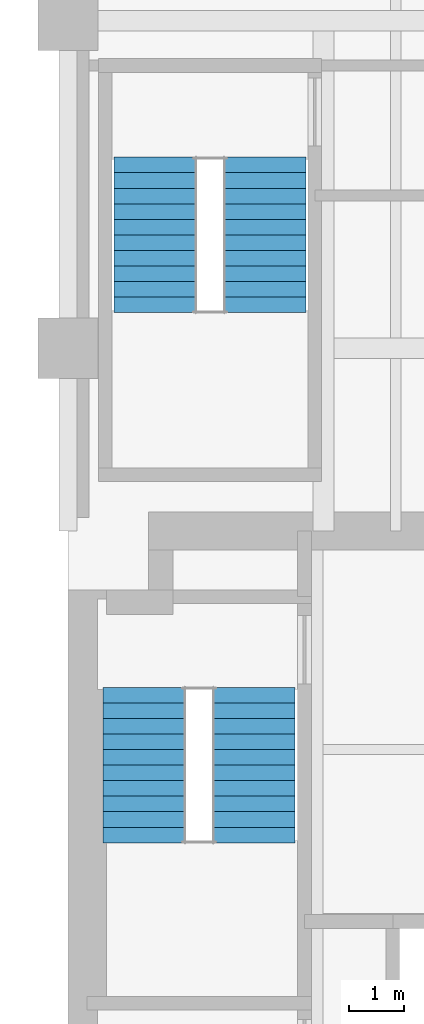
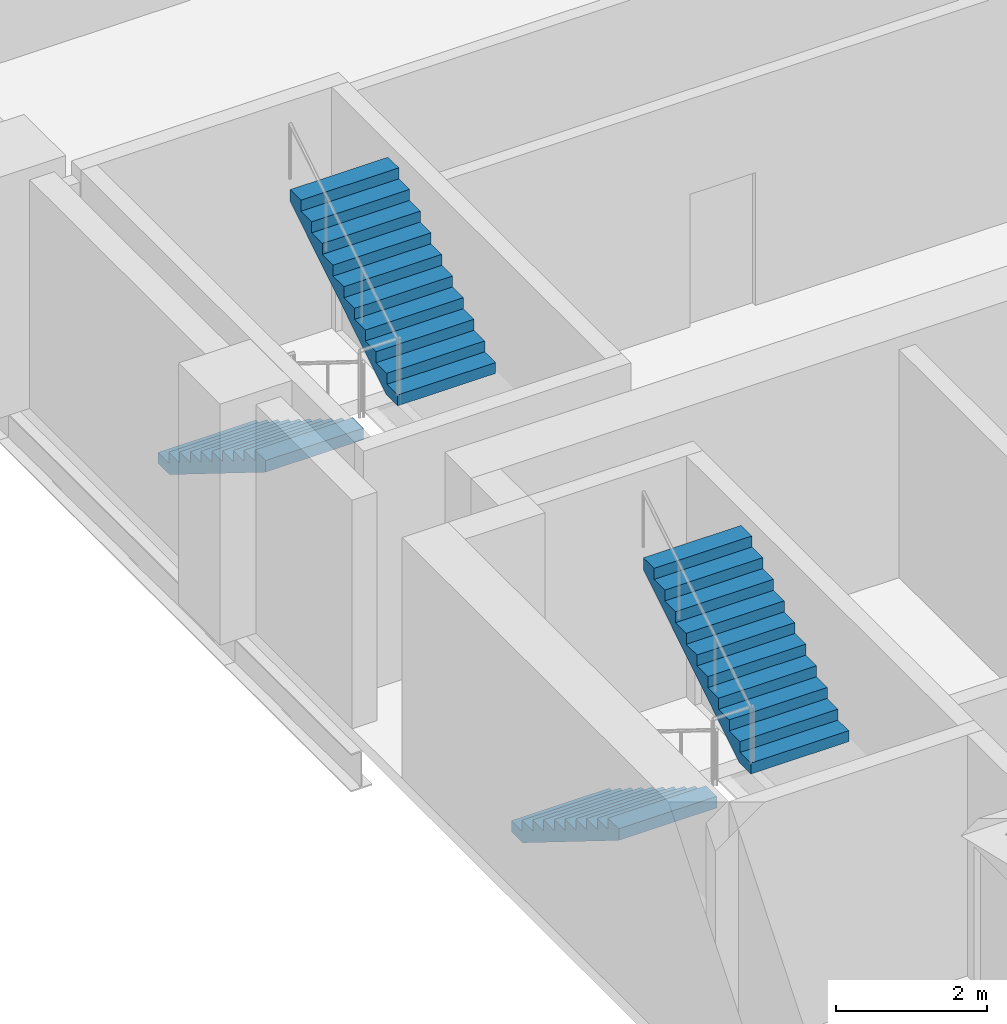
# One storey, part 10 of 12: 4 stair flights, 2 elements without a shape of their own.
"""IFC4 building model written with IfcOpenShell, lengths in metres."""

from ifc_helpers import new_model, si_unit, direction, frame, origin, place, context, subcontext, project, spatial, polyline, outline, extrude, material, type_object, element, aggregate, save


model = new_model("IFC4")

# Units and contexts
model_context = context("Model", 3, precision=1e-05, world=origin(), true_north=direction((0.0, 1.0)))
body_context = subcontext(model_context, "Body", "Model", "MODEL_VIEW")
ifc_project = project(units=[si_unit("LENGTHUNIT", "METRE"), si_unit("AREAUNIT", "SQUARE_METRE"), si_unit("VOLUMEUNIT", "CUBIC_METRE"), si_unit("PLANEANGLEUNIT", "RADIAN"), si_unit("MASSUNIT", "GRAM", prefix="KILO")], contexts=[model_context])

# Site, building, storey
site_placement = place(None, origin())
site = spatial("IfcSite", under=ifc_project, at=site_placement, CompositionType="ELEMENT")
building_placement = place(site_placement, origin())
building = spatial("IfcBuilding", under=site, at=building_placement, Name="Mawjdan Bourse Tower", CompositionType="ELEMENT")
storey_placement = place(building_placement, frame((0.0, 0.0, 120.60009765625)))
storey = spatial("IfcBuildingStorey", under=building, at=storey_placement, Name="L28", CompositionType="ELEMENT", Elevation=120.60009765625)

# Stair, stair flights
ifc_material = material(Name="Concrete C50/60", Category="concrete")
stair_type = type_object("IfcStairType", Name="STR-CORE-1500", PredefinedType="HALF_TURN_STAIR", material=ifc_material)
stair_1_placement = place(storey_placement, origin())
stair_1 = element("IfcStair", 1, at=stair_1_placement, inside=storey, type_object=stair_type, Name="L28 Exit Stair 2 (Core North-West)", PredefinedType="HALF_TURN_STAIR")
stair_flight_type = type_object("IfcStairFlightType", Name="SFL-RC-1500", PredefinedType="STRAIGHT", material=ifc_material)
stair_flight_1_placement = place(storey_placement, frame((7.389892578125, 17.7900390625, 0.0), z_axis=(0.0, 0.0, 1.0), x_axis=(0.0, -1.0, 0.0)))
stair_flight_1 = element("IfcStairFlight", 2, at=stair_flight_1_placement, type_object=stair_flight_type, Name="ST2-L28 flight 1", NumberOfRisers=11, NumberOfTreads=10, PredefinedType="STRAIGHT", RiserHeight=0.177273, TreadLength=0.285, context=body_context, shape_type="SweptSolid", body=[
    extrude(outline(polyline([(0.0, 0.0), (0.0, 0.17724609375), (0.284912109375, 0.17724609375), (0.284912109375, 0.3544921875), (0.570068359375, 0.3544921875), (0.570068359375, 0.53173828125), (0.85498046875, 0.53173828125), (0.85498046875, 0.708984375), (1.139892578125, 0.708984375), (1.139892578125, 0.886474609375), (1.425048828125, 0.886474609375), (1.425048828125, 1.063720703125), (1.7099609375, 1.063720703125), (1.7099609375, 1.240966796875), (1.9951171875, 1.240966796875), (1.9951171875, 1.418212890625), (2.280029296875, 1.418212890625), (2.280029296875, 1.595458984375), (2.56494140625, 1.595458984375), (2.56494140625, 1.772705078125), (2.85009765625, 1.772705078125), (2.85009765625, 1.949951171875), (2.85009765625, 1.58447265625), (0.302734375, 0.0), (0.0, 0.0)])), frame((0.0, 0.75, 0.0), z_axis=(0.0, -1.0, 0.0), x_axis=(1.0, 0.0, 0.0)), (0.0, 0.0, 1.0), 1.5),
])
stair_flight_2_placement = place(storey_placement, frame((9.409912109375, 14.93994140625, 1.949951171875), z_axis=(0.0, 0.0, 1.0), x_axis=(0.0, 1.0, 0.0)))
stair_flight_2 = element("IfcStairFlight", 3, at=stair_flight_2_placement, type_object=stair_flight_type, Name="ST2-L28 flight 2", NumberOfRisers=11, NumberOfTreads=10, PredefinedType="STRAIGHT", RiserHeight=0.177273, TreadLength=0.285, context=body_context, shape_type="SweptSolid", body=[
    extrude(outline(polyline([(0.0, 0.0), (0.0, 0.17724609375), (0.284912109375, 0.17724609375), (0.284912109375, 0.3544921875), (0.570068359375, 0.3544921875), (0.570068359375, 0.53173828125), (0.85498046875, 0.53173828125), (0.85498046875, 0.708984375), (1.139892578125, 0.708984375), (1.139892578125, 0.886474609375), (1.425048828125, 0.886474609375), (1.425048828125, 1.063720703125), (1.7099609375, 1.063720703125), (1.7099609375, 1.240966796875), (1.9951171875, 1.240966796875), (1.9951171875, 1.418212890625), (2.280029296875, 1.418212890625), (2.280029296875, 1.595458984375), (2.56494140625, 1.595458984375), (2.56494140625, 1.772705078125), (2.85009765625, 1.772705078125), (2.85009765625, 1.949951171875), (2.85009765625, 1.58447265625), (0.302734375, 0.0), (0.0, 0.0)])), frame((0.0, 0.75, 0.0), z_axis=(0.0, -1.0, 0.0), x_axis=(1.0, 0.0, 0.0)), (0.0, 0.0, 1.0), 1.5),
])
aggregate(stair_1, [stair_flight_1, stair_flight_2])

stair_2_placement = place(storey_placement, origin())
stair_2 = element("IfcStair", 4, at=stair_2_placement, inside=storey, type_object=stair_type, Name="L28 Exit Stair 3 (North Wing)", PredefinedType="HALF_TURN_STAIR")
stair_flight_3_placement = place(storey_placement, frame((7.590087890625, 27.5, 0.0), z_axis=(0.0, 0.0, 1.0), x_axis=(0.0, -1.0, 0.0)))
stair_flight_3 = element("IfcStairFlight", 5, at=stair_flight_3_placement, type_object=stair_flight_type, Name="ST3-L28 flight 1", NumberOfRisers=11, NumberOfTreads=10, PredefinedType="STRAIGHT", RiserHeight=0.177273, TreadLength=0.285, context=body_context, shape_type="SweptSolid", body=[
    extrude(outline(polyline([(0.0, 0.0), (0.0, 0.17724609375), (0.284912109375, 0.17724609375), (0.284912109375, 0.3544921875), (0.570068359375, 0.3544921875), (0.570068359375, 0.53173828125), (0.85498046875, 0.53173828125), (0.85498046875, 0.708984375), (1.139892578125, 0.708984375), (1.139892578125, 0.886474609375), (1.425048828125, 0.886474609375), (1.425048828125, 1.063720703125), (1.7099609375, 1.063720703125), (1.7099609375, 1.240966796875), (1.9951171875, 1.240966796875), (1.9951171875, 1.418212890625), (2.280029296875, 1.418212890625), (2.280029296875, 1.595458984375), (2.56494140625, 1.595458984375), (2.56494140625, 1.772705078125), (2.85009765625, 1.772705078125), (2.85009765625, 1.949951171875), (2.85009765625, 1.58447265625), (0.302734375, 0.0), (0.0, 0.0)])), frame((0.0, 0.75, 0.0), z_axis=(0.0, -1.0, 0.0), x_axis=(1.0, 0.0, 0.0)), (0.0, 0.0, 1.0), 1.5),
])
stair_flight_4_placement = place(storey_placement, frame((9.610107421875, 24.64990234375, 1.949951171875), z_axis=(0.0, 0.0, 1.0), x_axis=(0.0, 1.0, 0.0)))
stair_flight_4 = element("IfcStairFlight", 6, at=stair_flight_4_placement, type_object=stair_flight_type, Name="ST3-L28 flight 2", NumberOfRisers=11, NumberOfTreads=10, PredefinedType="STRAIGHT", RiserHeight=0.177273, TreadLength=0.285, context=body_context, shape_type="SweptSolid", body=[
    extrude(outline(polyline([(0.0, 0.0), (0.0, 0.17724609375), (0.284912109375, 0.17724609375), (0.284912109375, 0.3544921875), (0.570068359375, 0.3544921875), (0.570068359375, 0.53173828125), (0.85498046875, 0.53173828125), (0.85498046875, 0.708984375), (1.139892578125, 0.708984375), (1.139892578125, 0.886474609375), (1.425048828125, 0.886474609375), (1.425048828125, 1.063720703125), (1.7099609375, 1.063720703125), (1.7099609375, 1.240966796875), (1.9951171875, 1.240966796875), (1.9951171875, 1.418212890625), (2.280029296875, 1.418212890625), (2.280029296875, 1.595458984375), (2.56494140625, 1.595458984375), (2.56494140625, 1.772705078125), (2.85009765625, 1.772705078125), (2.85009765625, 1.949951171875), (2.85009765625, 1.58447265625), (0.302734375, 0.0), (0.0, 0.0)])), frame((0.0, 0.75, 0.0), z_axis=(0.0, -1.0, 0.0), x_axis=(1.0, 0.0, 0.0)), (0.0, 0.0, 1.0), 1.5),
])
aggregate(stair_2, [stair_flight_3, stair_flight_4])

save(model, "model.ifc")
